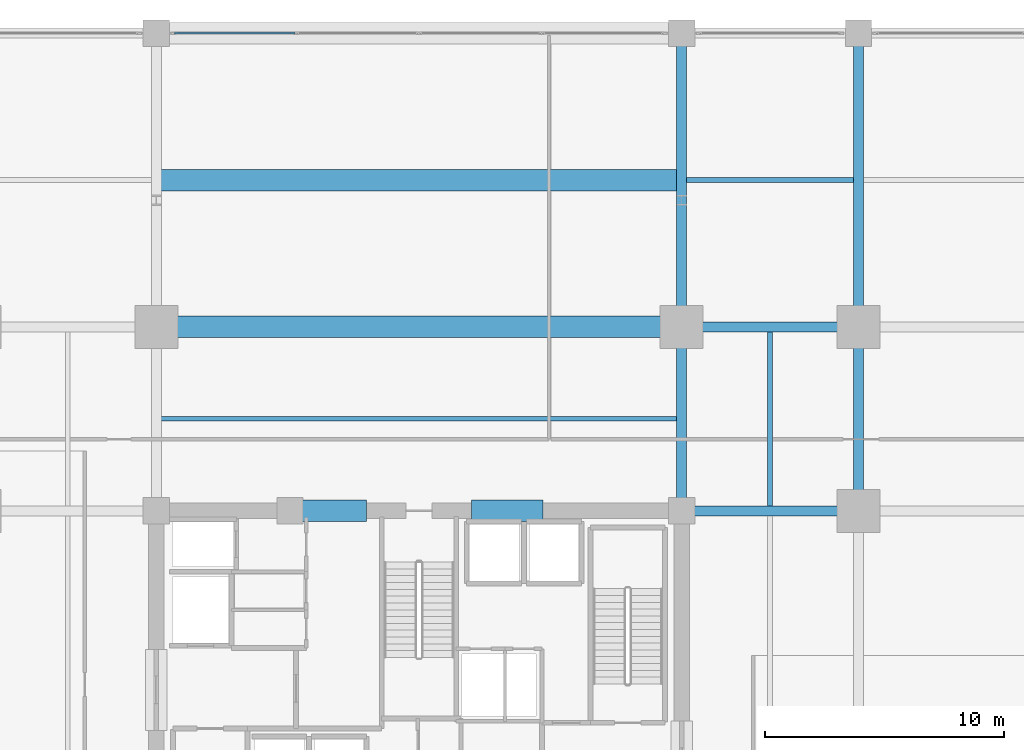
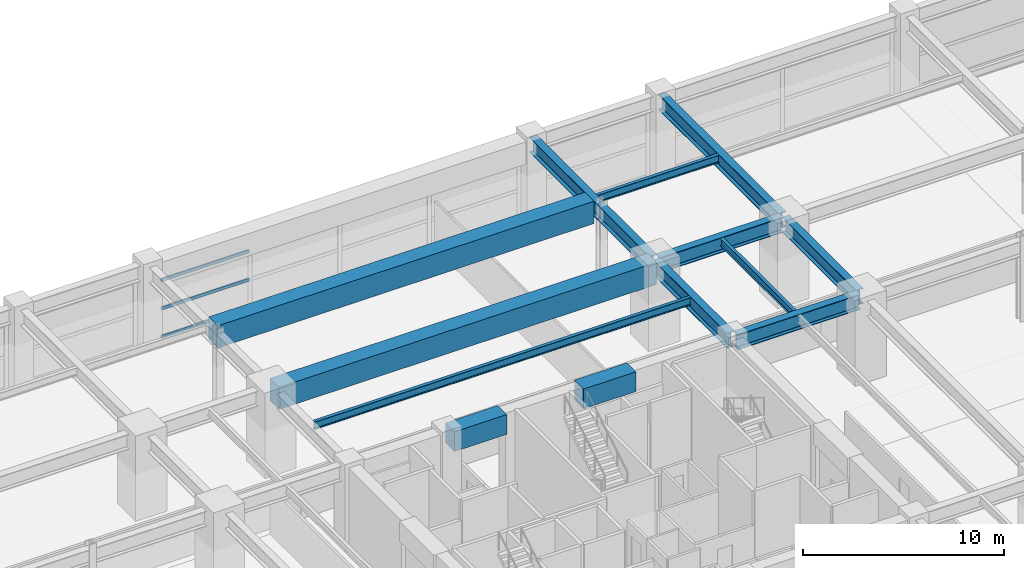
# One storey, part 19 of 43: 13 beams, 3 members, 1 element without a shape of its own.
"""IFC4 building model written with IfcOpenShell, lengths in metres."""

from ifc_helpers import new_model, si_unit, direction, frame, origin, origin_2d, place, context, subcontext, project, spatial, rectangle, hollow_rectangle, i_section, extrude, material, material_profile, profile_set, type_object, element, aggregate, save


model = new_model("IFC4")

# Units and contexts
model_context = context("Model", 3, precision=1e-05, world=origin(), true_north=direction((0.0, 1.0)))
body_context = subcontext(model_context, "Body", "Model", "MODEL_VIEW")
ifc_project = project(units=[si_unit("LENGTHUNIT", "METRE"), si_unit("AREAUNIT", "SQUARE_METRE"), si_unit("VOLUMEUNIT", "CUBIC_METRE"), si_unit("PLANEANGLEUNIT", "RADIAN"), si_unit("MASSUNIT", "GRAM", prefix="KILO")], contexts=[model_context])

# Site, building, storey
site_placement = place(None, origin())
site = spatial("IfcSite", under=ifc_project, at=site_placement, CompositionType="ELEMENT")
building_placement = place(site_placement, origin())
building = spatial("IfcBuilding", under=site, at=building_placement, Name="Kovane Verandah Tower", CompositionType="ELEMENT")
storey_placement = place(building_placement, frame((0.0, 0.0, 11.199951171875)))
storey = spatial("IfcBuildingStorey", under=building, at=storey_placement, Name="L02", CompositionType="ELEMENT", Elevation=11.199951171875)

# Beams
ifc_material_1 = material(Name="Concrete C80/95", Category="concrete")
ifc_material_profile_1 = material_profile(ifc_material_1, rectangle(XDim=0.89990234375, YDim=1.199951171875, at=origin_2d()), Name="RCB900x1200")
ifc_profile_set_1 = profile_set([ifc_material_profile_1], Name="Concrete C80/95")
beam_type_1 = type_object("IfcBeamType", Name="BM-LINTEL-900x1200", PredefinedType="LINTEL", material=ifc_profile_set_1)
for number, where, z_axis, x_axis, name in (
    (1, (34.800048828125, 36.5, 4.320068359375), (1.0, 0.0, 0.0), (0.0, 1.0, 0.0), "L02 Core Coupling Lintel CL-N1"),
    (2, (42.199951171875, 36.5, 4.320068359375), (1.0, 0.0, 0.0), (0.0, 1.0, 0.0), "L02 Core Coupling Lintel CL-N2"),
):
    element("IfcBeam", number, at=place(storey_placement, frame(where, z_axis=z_axis, x_axis=x_axis)), inside=storey, type_object=beam_type_1, Name=name, PredefinedType="LINTEL", context=body_context, shape_type="SweptSolid", body=[
        extrude(rectangle(XDim=0.89990234375, YDim=1.199951171875, at=origin_2d()), origin(), (0.0, 0.0, 1.0), 3.0),
    ])
ifc_material_profile_2 = material_profile(ifc_material_1, rectangle(XDim=0.89990234375, YDim=1.35009765625, at=origin_2d()), Name="RCB900x1350")
ifc_profile_set_2 = profile_set([ifc_material_profile_2], Name="Concrete C80/95")
beam_type_2 = type_object("IfcBeamType", Name="BM-TR-900x1350", PredefinedType="BEAM", material=ifc_profile_set_2)
beam_1_placement = place(storey_placement, frame((29.179931640625, 44.199951171875, 4.2451171875), z_axis=(1.0, 0.0, 0.0), x_axis=(0.0, 1.0, 0.0)))
element("IfcBeam", 3, at=beam_1_placement, inside=storey, type_object=beam_type_2, Name="L02 Primary Tower Girder G-RN2", PredefinedType="BEAM", context=body_context, shape_type="SweptSolid", body=[
    extrude(rectangle(XDim=0.89990234375, YDim=1.35009765625, at=origin_2d()), origin(), (0.0, 0.0, 1.0), 21.64013671875),
])
beam_2_placement = place(storey_placement, frame((29.208251953125, 50.35009765625, 4.22509765625), z_axis=(1.0, 0.0, 0.0), x_axis=(0.0, 1.0, 0.0)))
element("IfcBeam", 4, at=beam_2_placement, inside=storey, type_object=beam_type_2, Name="L02 Podium Secondary Joist 04", PredefinedType="BEAM", context=body_context, shape_type="SweptSolid", body=[
    extrude(rectangle(XDim=0.89990234375, YDim=1.35009765625, at=origin_2d()), origin(), (0.0, 0.0, 1.0), 21.58349609375),
])
ifc_material_2 = material(Name="Steel S460", Category="steel")
ifc_material_profile_3 = material_profile(ifc_material_2, i_section(OverallWidth=0.42041015625, OverallDepth=0.9208984375, WebThickness=0.021484375, FlangeThickness=0.03662109375, FilletRadius=0.024169921875, at=origin_2d()), Name="UB914x419x388")
ifc_profile_set_3 = profile_set([ifc_material_profile_3], Name="Steel S460")
beam_type_3 = type_object("IfcBeamType", Name="BM-UB914x388", PredefinedType="BEAM", material=ifc_profile_set_3)
beam_3_placement = place(storey_placement, frame((51.179931640625, 44.199951171875, 4.45947265625), z_axis=(1.0, 0.0, 0.0), x_axis=(0.0, 1.0, 0.0)))
element("IfcBeam", 5, at=beam_3_placement, inside=storey, type_object=beam_type_3, Name="L02 Primary Tower Girder G-RN3", PredefinedType="BEAM", context=body_context, shape_type="SweptSolid", body=[
    extrude(i_section(OverallWidth=0.42041015625, OverallDepth=0.9208984375, WebThickness=0.021484375, FlangeThickness=0.03662109375, FilletRadius=0.024169921875, at=origin_2d()), origin(), (0.0, 0.0, 1.0), 7.0400390625),
])
beam_4_placement = place(storey_placement, frame((58.39990234375, 36.679931640625, 4.45947265625), z_axis=(0.0, 1.0, 0.0), x_axis=(-1.0, 0.0, 0.0)))
element("IfcBeam", 6, at=beam_4_placement, inside=storey, type_object=beam_type_3, Name="L02 Primary Tower Girder G-RE3", PredefinedType="BEAM", context=body_context, shape_type="SweptSolid", body=[
    extrude(i_section(OverallWidth=0.42041015625, OverallDepth=0.9208984375, WebThickness=0.021484375, FlangeThickness=0.03662109375, FilletRadius=0.024169921875, at=origin_2d()), origin(), (0.0, 0.0, 1.0), 7.340087890625),
])
beam_5_placement = place(storey_placement, frame((51.179931640625, 36.5, 4.45947265625), z_axis=(1.0, 0.0, 0.0), x_axis=(0.0, 1.0, 0.0)))
element("IfcBeam", 7, at=beam_5_placement, inside=storey, type_object=beam_type_3, Name="L02 Primary Tower Girder G-E2", PredefinedType="BEAM", context=body_context, shape_type="SweptSolid", body=[
    extrude(i_section(OverallWidth=0.42041015625, OverallDepth=0.9208984375, WebThickness=0.021484375, FlangeThickness=0.03662109375, FilletRadius=0.024169921875, at=origin_2d()), origin(), (0.0, 0.0, 1.0), 7.0400390625),
])
beam_6_placement = place(storey_placement, frame((51.0, 36.679931640625, 4.45947265625), z_axis=(0.0, 1.0, 0.0), x_axis=(-1.0, 0.0, 0.0)))
element("IfcBeam", 8, at=beam_6_placement, inside=storey, type_object=beam_type_3, Name="L02 Primary Tower Girder G-N2", PredefinedType="BEAM", context=body_context, shape_type="SweptSolid", body=[
    extrude(i_section(OverallWidth=0.42041015625, OverallDepth=0.9208984375, WebThickness=0.021484375, FlangeThickness=0.03662109375, FilletRadius=0.024169921875, at=origin_2d()), origin(), (0.0, 0.0, 1.0), 7.340087890625),
])
for number, where, z_axis, x_axis, name in (
    (9, (51.0, 44.3798828125, 4.439453125), (0.0, 1.0, 0.0), (-1.0, 0.0, 0.0), "L02 Podium Grid Girder Y34"),
    (10, (58.39990234375, 44.3798828125, 4.439453125), (0.0, 1.0, 0.0), (-1.0, 0.0, 0.0), "L02 Podium Grid Girder Y35"),
):
    element("IfcBeam", number, at=place(storey_placement, frame(where, z_axis=z_axis, x_axis=x_axis)), inside=storey, type_object=beam_type_3, Name=name, PredefinedType="BEAM", context=body_context, shape_type="SweptSolid", body=[
        extrude(i_section(OverallWidth=0.42041015625, OverallDepth=0.9208984375, WebThickness=0.021484375, FlangeThickness=0.03662109375, FilletRadius=0.024169921875, at=origin_2d()), origin(), (0.0, 0.0, 1.0), 11.940185546875),
    ])

# Curtain wall, members
ifc_material_3 = material(Name="Champagne Anodised Aluminium Frame with Low-E Clear Laminated Glass", Category="aluminium")
curtain_wall_type = type_object("IfcCurtainWallType", Name="CW-SYS-01-POD", PredefinedType="NOTDEFINED", material=ifc_material_3)
curtain_wall_placement = place(storey_placement, origin())
curtain_wall = element("IfcCurtainWall", 11, at=curtain_wall_placement, inside=storey, type_object=curtain_wall_type, Name="L02 North Podium Curtain Wall Bay 4", PredefinedType="NOTDEFINED")
ifc_material_4 = material(Name="Champagne Anodised Aluminium 6063-T6", Category="aluminium")
ifc_material_profile_4 = material_profile(ifc_material_4, hollow_rectangle(XDim=0.0849609375, YDim=0.18994140625, WallThickness=0.00390625, at=origin_2d()), Name="AL85x190x4")
ifc_profile_set_4 = profile_set([ifc_material_profile_4], Name="Champagne Anodised Aluminium 6063-T6")
member_type = type_object("IfcMemberType", Name="CW-TRN-85x190", PredefinedType="USERDEFINED", material=ifc_profile_set_4)
member_1_placement = place(storey_placement, frame((34.81005859375, 56.5, 0.050048828125), z_axis=(-1.0, 0.0, 0.0), x_axis=(0.0, -1.0, 0.0)))
member_1 = element("IfcMember", 12, at=member_1_placement, type_object=member_type, Name="L02 North Podium Curtain Wall Bay 4 Transom TB Bay 4", ObjectType="TRANSOM", PredefinedType="USERDEFINED", context=body_context, shape_type="SweptSolid", body=[
    extrude(hollow_rectangle(XDim=0.0849609375, YDim=0.18994140625, WallThickness=0.00390625, at=origin_2d()), origin(), (0.0, 0.0, 1.0), 5.0400390625),
])
member_2_placement = place(storey_placement, frame((34.81005859375, 56.5, 1.76513671875), z_axis=(-1.0, 0.0, 0.0), x_axis=(0.0, -1.0, 0.0)))
member_2 = element("IfcMember", 13, at=member_2_placement, type_object=member_type, Name="L02 North Podium Curtain Wall Bay 4 Transom TM Bay 4", ObjectType="TRANSOM", PredefinedType="USERDEFINED", context=body_context, shape_type="SweptSolid", body=[
    extrude(hollow_rectangle(XDim=0.0849609375, YDim=0.18994140625, WallThickness=0.00390625, at=origin_2d()), origin(), (0.0, 0.0, 1.0), 5.0400390625),
])
member_3_placement = place(storey_placement, frame((34.81005859375, 56.5, 3.47998046875), z_axis=(-1.0, 0.0, 0.0), x_axis=(0.0, -1.0, 0.0)))
member_3 = element("IfcMember", 14, at=member_3_placement, type_object=member_type, Name="L02 North Podium Curtain Wall Bay 4 Transom TT Bay 4", ObjectType="TRANSOM", PredefinedType="USERDEFINED", context=body_context, shape_type="SweptSolid", body=[
    extrude(hollow_rectangle(XDim=0.0849609375, YDim=0.18994140625, WallThickness=0.00390625, at=origin_2d()), origin(), (0.0, 0.0, 1.0), 5.0400390625),
])
aggregate(curtain_wall, [member_1, member_2, member_3])

# Beams
ifc_material_5 = material(Name="Steel S355", Category="steel")
ifc_material_profile_5 = material_profile(ifc_material_5, i_section(OverallWidth=0.19287109375, OverallDepth=0.46728515625, WebThickness=0.011474609375, FlangeThickness=0.01953125, FilletRadius=0.01025390625, at=origin_2d()), Name="UB457x191x98")
ifc_profile_set_5 = profile_set([ifc_material_profile_5], Name="Steel S355")
beam_type_4 = type_object("IfcBeamType", Name="JST-UB457x98", PredefinedType="JOIST", material=ifc_profile_set_5)
beam_7_placement = place(storey_placement, frame((29.208251953125, 40.35009765625, 4.6865234375), z_axis=(1.0, 0.0, 0.0), x_axis=(0.0, 1.0, 0.0)))
element("IfcBeam", 15, at=beam_7_placement, inside=storey, type_object=beam_type_4, Name="L02 Secondary Composite Joist J-N1", PredefinedType="JOIST", context=body_context, shape_type="SweptSolid", body=[
    extrude(i_section(OverallWidth=0.19287109375, OverallDepth=0.46728515625, WebThickness=0.011474609375, FlangeThickness=0.01953125, FilletRadius=0.01025390625, at=origin_2d()), origin(), (0.0, 0.0, 1.0), 21.58349609375),
])
beam_8_placement = place(storey_placement, frame((54.699951171875, 36.708251953125, 4.6865234375), z_axis=(0.0, 1.0, 0.0), x_axis=(-1.0, 0.0, 0.0)))
element("IfcBeam", 16, at=beam_8_placement, inside=storey, type_object=beam_type_4, Name="L02 Secondary Composite Joist J-NE1", PredefinedType="JOIST", context=body_context, shape_type="SweptSolid", body=[
    extrude(i_section(OverallWidth=0.19287109375, OverallDepth=0.46728515625, WebThickness=0.011474609375, FlangeThickness=0.01953125, FilletRadius=0.01025390625, at=origin_2d()), origin(), (0.0, 0.0, 1.0), 7.283447265625),
])
beam_9_placement = place(storey_placement, frame((51.208251953125, 50.35009765625, 4.66650390625), z_axis=(1.0, 0.0, 0.0), x_axis=(0.0, 1.0, 0.0)))
element("IfcBeam", 17, at=beam_9_placement, inside=storey, type_object=beam_type_4, Name="L02 Podium Secondary Joist 05", PredefinedType="JOIST", context=body_context, shape_type="SweptSolid", body=[
    extrude(i_section(OverallWidth=0.19287109375, OverallDepth=0.46728515625, WebThickness=0.011474609375, FlangeThickness=0.01953125, FilletRadius=0.01025390625, at=origin_2d()), origin(), (0.0, 0.0, 1.0), 6.983642578125),
])

save(model, "model.ifc")
